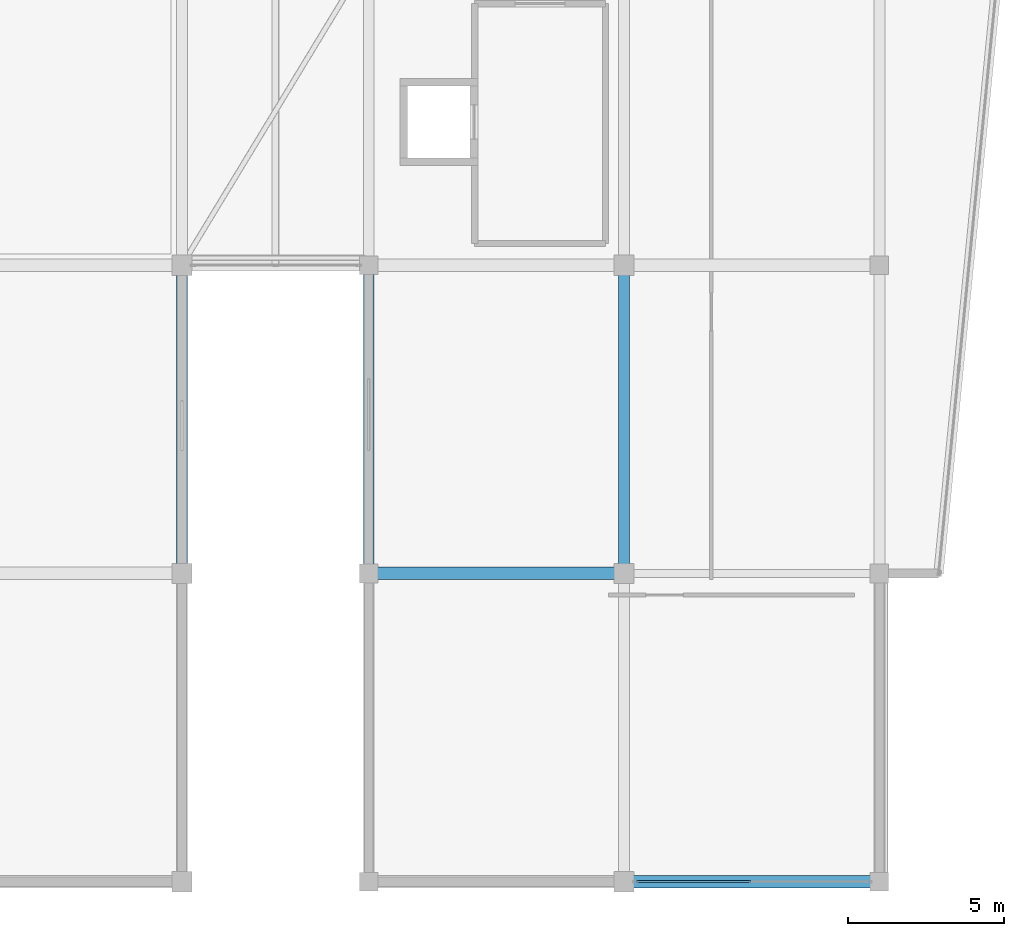
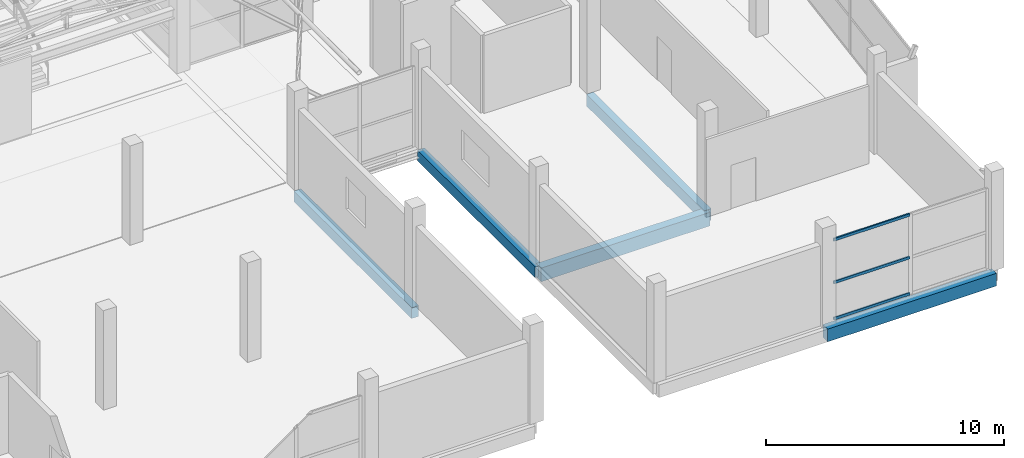
# One storey, part 11 of 66: 5 beams, 3 members, 1 element without a shape of its own.
"""IFC4 building model written with IfcOpenShell, lengths in metres."""

from ifc_helpers import new_model, si_unit, direction, frame, origin, origin_2d, place, context, subcontext, project, spatial, rectangle, hollow_rectangle, extrude, material, layer, layer_set, material_profile, profile_set, type_object, element, aggregate, save


model = new_model("IFC4")

# Units and contexts
model_context = context("Model", 3, precision=1e-05, world=origin(), true_north=direction((0.0, 1.0)))
body_context = subcontext(model_context, "Body", "Model", "MODEL_VIEW")
ifc_project = project(units=[si_unit("LENGTHUNIT", "METRE"), si_unit("AREAUNIT", "SQUARE_METRE"), si_unit("VOLUMEUNIT", "CUBIC_METRE"), si_unit("PLANEANGLEUNIT", "RADIAN"), si_unit("MASSUNIT", "GRAM", prefix="KILO")], contexts=[model_context])

# Site, building, storey
site_placement = place(None, origin())
site = spatial("IfcSite", under=ifc_project, at=site_placement, CompositionType="ELEMENT")
building_placement = place(site_placement, origin())
building = spatial("IfcBuilding", under=site, at=building_placement, Name="Sillaruma Civic Art Gallery", CompositionType="ELEMENT")
storey_placement = place(building_placement, frame((0.0, 0.0, 57.1201171875)))
storey = spatial("IfcBuildingStorey", under=building, at=storey_placement, Name="L11", CompositionType="ELEMENT", Elevation=57.1201171875)

# Beams
ifc_material_1 = material(Name="Concrete H35 (35 MPa)", Category="concrete")
ifc_material_profile_1 = material_profile(ifc_material_1, rectangle(XDim=0.35009765625, YDim=0.60009765625, at=origin_2d()), Name="RCB350x600")
ifc_profile_set_1 = profile_set([ifc_material_profile_1], Name="Concrete H35 (35 MPa)")
beam_type_1 = type_object("IfcBeamType", Name="BM-BEAM-RCB350x600", PredefinedType="BEAM", material=ifc_profile_set_1)
beam_1_placement = place(storey_placement, frame((106.199951171875, 29.699951171875, -0.550048828125), z_axis=(0.0, 1.0, 0.0), x_axis=(-1.0, 0.0, 0.0)))
element("IfcBeam", 1, at=beam_1_placement, inside=storey, type_object=beam_type_1, Name="Beam BM-06 (L10:M:4-5)", PredefinedType="BEAM", context=body_context, shape_type="SweptSolid", body=[
    extrude(rectangle(XDim=0.35009765625, YDim=0.60009765625, at=origin_2d()), origin(), (0.0, 0.0, 1.0), 9.900146484375),
])
ifc_material_profile_2 = material_profile(ifc_material_1, rectangle(XDim=0.39990234375, YDim=0.699951171875, at=origin_2d()), Name="RCB400x700")
ifc_profile_set_2 = profile_set([ifc_material_profile_2], Name="Concrete H35 (35 MPa)")
beam_type_2 = type_object("IfcBeamType", Name="BM-BEAM-RCB400x700", PredefinedType="BEAM", material=ifc_profile_set_2)
beam_2_placement = place(storey_placement, frame((98.0, 29.699951171875, -0.60009765625), z_axis=(1.0, 0.0, 0.0), x_axis=(0.0, 1.0, 0.0)))
element("IfcBeam", 2, at=beam_2_placement, inside=storey, type_object=beam_type_2, Name="Beam BM-04 (L10:4:L-M)", PredefinedType="BEAM", context=body_context, shape_type="SweptSolid", body=[
    extrude(rectangle(XDim=0.39990234375, YDim=0.699951171875, at=origin_2d()), origin(), (0.0, 0.0, 1.0), 8.199951171875),
])
ifc_material_profile_3 = material_profile(ifc_material_1, rectangle(XDim=0.35009765625, YDim=0.550048828125, at=origin_2d()), Name="RCB350x550")
ifc_profile_set_3 = profile_set([ifc_material_profile_3], Name="Concrete H35 (35 MPa)")
beam_type_3 = type_object("IfcBeamType", Name="BM-SPANDREL-RCB350x550", PredefinedType="SPANDREL", material=ifc_profile_set_3)
for number, where, z_axis, x_axis, name in (
    (3, (92.0, 29.699951171875, -0.525146484375), (0.0, 1.0, 0.0), (-1.0, 0.0, 0.0), "Beam BS-04 (L10:K:4-5)"),
    (4, (98.0, 29.699951171875, -0.525146484375), (0.0, 1.0, 0.0), (-1.0, 0.0, 0.0), "Beam BS-04 (L10:L:4-5)"),
):
    element("IfcBeam", number, at=place(storey_placement, frame(where, z_axis=z_axis, x_axis=x_axis)), inside=storey, type_object=beam_type_3, Name=name, PredefinedType="SPANDREL", context=body_context, shape_type="SweptSolid", body=[
        extrude(rectangle(XDim=0.35009765625, YDim=0.550048828125, at=origin_2d()), origin(), (0.0, 0.0, 1.0), 9.900146484375),
    ])
ifc_material_profile_4 = material_profile(ifc_material_1, rectangle(XDim=0.39990234375, YDim=0.64990234375, at=origin_2d()), Name="RCB400x650")
ifc_profile_set_4 = profile_set([ifc_material_profile_4], Name="Concrete H35 (35 MPa)")
beam_type_4 = type_object("IfcBeamType", Name="BM-SPANDREL-RCB400x650", PredefinedType="SPANDREL", material=ifc_profile_set_4)
beam_3_placement = place(storey_placement, frame((106.199951171875, 19.800048828125, -0.5751953125), z_axis=(1.0, 0.0, 0.0), x_axis=(0.0, 1.0, 0.0)))
element("IfcBeam", 5, at=beam_3_placement, inside=storey, type_object=beam_type_4, Name="Beam BS-02 (L10:3:M-N)", PredefinedType="SPANDREL", context=body_context, shape_type="SweptSolid", body=[
    extrude(rectangle(XDim=0.39990234375, YDim=0.64990234375, at=origin_2d()), origin(), (0.0, 0.0, 1.0), 8.199951171875),
])

# Curtain wall, members
ifc_material_2 = material(Name="Thermally Broken Extruded Aluminium 6063-T6", Category="aluminium")
ifc_layer = layer(ifc_material_2, 0.179931640625, Name="Thermally Broken Extruded Aluminium 6063-T6")
ifc_layer_set = layer_set([ifc_layer], Name="Thermally Broken Extruded Aluminium 6063-T6")
curtain_wall_type = type_object("IfcCurtainWallType", Name="CW-UNI-87", PredefinedType="NOTDEFINED", material=ifc_layer_set)
curtain_wall_placement = place(storey_placement, origin())
curtain_wall = element("IfcCurtainWall", 6, at=curtain_wall_placement, inside=storey, type_object=curtain_wall_type, Name="Unitised Curtain Wall CW-87 (CW-L11-EBS-2)", PredefinedType="NOTDEFINED")
ifc_material_profile_5 = material_profile(ifc_material_2, hollow_rectangle(XDim=0.070068359375, YDim=0.139892578125, WallThickness=0.00390625, at=origin_2d()), Name="CWT70x140")
ifc_profile_set_5 = profile_set([ifc_material_profile_5], Name="Thermally Broken Extruded Aluminium 6063-T6")
member_type = type_object("IfcMemberType", Name="MEM-TRN-CWT70x140", PredefinedType="USERDEFINED", material=ifc_profile_set_5)
member_1_placement = place(storey_placement, frame((106.594970703125, 19.800048828125, 0.034912109375), z_axis=(1.0, 0.0, 0.0), x_axis=(0.0, 1.0, 0.0)))
member_1 = element("IfcMember", 7, at=member_1_placement, type_object=member_type, Name="CW-87 transom 1.1", ObjectType="TRANSOM", PredefinedType="USERDEFINED", context=body_context, shape_type="SweptSolid", body=[
    extrude(hollow_rectangle(XDim=0.070068359375, YDim=0.139892578125, WallThickness=0.00390625, at=origin_2d()), origin(), (0.0, 0.0, 1.0), 3.6826171875),
])
member_2_placement = place(storey_placement, frame((106.594970703125, 19.800048828125, 1.89501953125), z_axis=(1.0, 0.0, 0.0), x_axis=(0.0, 1.0, 0.0)))
member_2 = element("IfcMember", 8, at=member_2_placement, type_object=member_type, Name="CW-87 transom 1.2", ObjectType="TRANSOM", PredefinedType="USERDEFINED", context=body_context, shape_type="SweptSolid", body=[
    extrude(hollow_rectangle(XDim=0.070068359375, YDim=0.139892578125, WallThickness=0.00390625, at=origin_2d()), origin(), (0.0, 0.0, 1.0), 3.6826171875),
])
member_3_placement = place(storey_placement, frame((106.594970703125, 19.800048828125, 4.0849609375), z_axis=(1.0, 0.0, 0.0), x_axis=(0.0, 1.0, 0.0)))
member_3 = element("IfcMember", 9, at=member_3_placement, type_object=member_type, Name="CW-87 transom 1.3", ObjectType="TRANSOM", PredefinedType="USERDEFINED", context=body_context, shape_type="SweptSolid", body=[
    extrude(hollow_rectangle(XDim=0.070068359375, YDim=0.139892578125, WallThickness=0.00390625, at=origin_2d()), origin(), (0.0, 0.0, 1.0), 3.6826171875),
])
aggregate(curtain_wall, [member_1, member_2, member_3])

save(model, "model.ifc")
